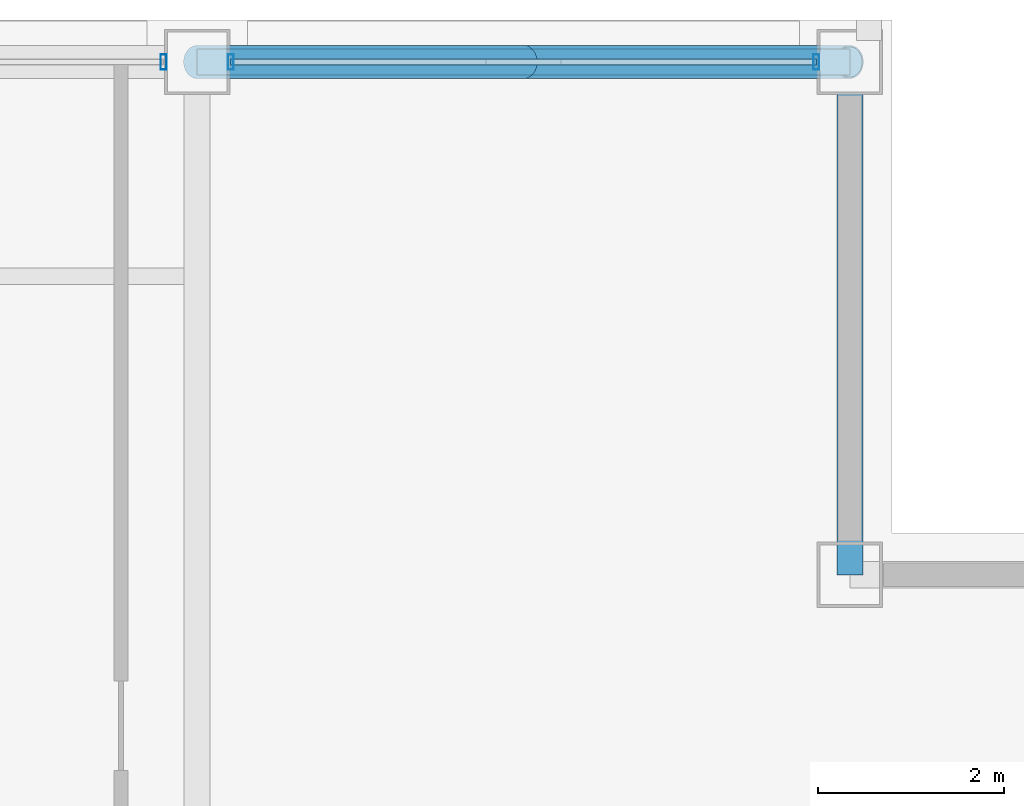
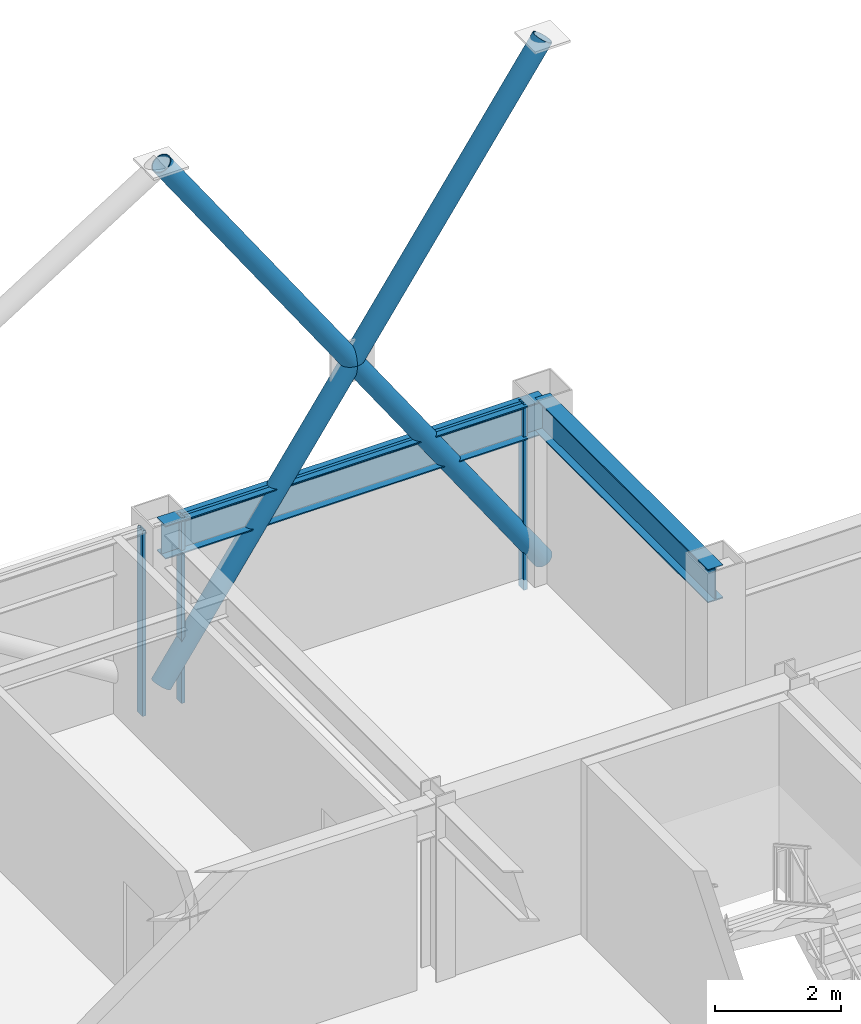
# One storey, part 25 of 33: 7 members, 2 beams, 2 elements without a shape of their own.
"""IFC4 building model written with IfcOpenShell, lengths in metres."""

from ifc_helpers import new_model, si_unit, direction, frame, origin, origin_2d, place, context, subcontext, project, spatial, hollow_rectangle, hollow_circle, i_section, extrude, material, layer, layer_set, material_profile, profile_set, type_object, element, aggregate, save


model = new_model("IFC4")

# Units and contexts
model_context = context("Model", 3, precision=1e-05, world=origin(), true_north=direction((0.0, 1.0)))
body_context = subcontext(model_context, "Body", "Model", "MODEL_VIEW")
ifc_project = project(units=[si_unit("LENGTHUNIT", "METRE"), si_unit("AREAUNIT", "SQUARE_METRE"), si_unit("VOLUMEUNIT", "CUBIC_METRE"), si_unit("PLANEANGLEUNIT", "RADIAN"), si_unit("MASSUNIT", "GRAM", prefix="KILO")], contexts=[model_context])

# Site, building, storey
site_placement = place(None, origin())
site = spatial("IfcSite", under=ifc_project, at=site_placement, CompositionType="ELEMENT")
building_placement = place(site_placement, origin())
building = spatial("IfcBuilding", under=site, at=building_placement, Name="Brelmoor Portico Tower", CompositionType="ELEMENT")
storey_placement = place(building_placement, frame((0.0, 0.0, 194.699951171875)))
storey = spatial("IfcBuildingStorey", under=building, at=storey_placement, Name="L51", CompositionType="ELEMENT", Elevation=194.699951171875)

# Beams
ifc_material_1 = material(Name="Steel Q355B", Category="steel")
ifc_material_profile_1 = material_profile(ifc_material_1, i_section(OverallWidth=0.280029296875, OverallDepth=0.64990234375, WebThickness=0.012939453125, FlangeThickness=0.02197265625, at=origin_2d()), Name="HN 650x280x13x22")
ifc_profile_set_1 = profile_set([ifc_material_profile_1], Name="Steel Q355B")
beam_type = type_object("IfcBeamType", Name="BM-SP-650", PredefinedType="SPANDREL", material=ifc_profile_set_1)
beam_1_placement = place(storey_placement, frame((8.050048828125, 18.550048828125, 3.074951171875), z_axis=(1.0, 0.0, 0.0), x_axis=(0.0, 1.0, 0.0)))
element("IfcBeam", 1, at=beam_1_placement, inside=storey, type_object=beam_type, Name="L51 Perimeter Spandrel Beam SP-10", PredefinedType="SPANDREL", context=body_context, shape_type="SweptSolid", body=[
    extrude(i_section(OverallWidth=0.280029296875, OverallDepth=0.64990234375, WebThickness=0.012939453125, FlangeThickness=0.02197265625, at=origin_2d()), origin(), (0.0, 0.0, 1.0), 7.0),
])
beam_2_placement = place(storey_placement, frame((15.050048828125, 13.050048828125, 3.074951171875), z_axis=(0.0, 1.0, 0.0), x_axis=(-1.0, 0.0, 0.0)))
element("IfcBeam", 2, at=beam_2_placement, inside=storey, type_object=beam_type, Name="L51 Perimeter Spandrel Beam SP-17", PredefinedType="SPANDREL", context=body_context, shape_type="SweptSolid", body=[
    extrude(i_section(OverallWidth=0.280029296875, OverallDepth=0.64990234375, WebThickness=0.012939453125, FlangeThickness=0.02197265625, at=origin_2d()), origin(), (0.0, 0.0, 1.0), 5.5),
])

# Members
ifc_material_profile_2 = material_profile(ifc_material_1, hollow_circle(Radius=0.177978515625, WallThickness=0.01611328125, at=origin_2d()), Name="CHS 356x16")
ifc_profile_set_2 = profile_set([ifc_material_profile_2], Name="Steel Q355B")
member_type_1 = type_object("IfcMemberType", Name="MB-BELT-DIAG2", PredefinedType="BRACE", material=ifc_profile_set_2)
member_1_placement = place(storey_placement, frame((8.050048828125, 18.550048828125, 0.25), z_axis=(0.569629338867, 0.0, 0.821901707203), x_axis=(0.0, 1.0, 0.0)))
element("IfcMember", 3, at=member_1_placement, inside=storey, type_object=member_type_1, Name="L51 Continuous Mega-X Brace 121A", PredefinedType="BRACE", context=body_context, shape_type="SweptSolid", body=[
    extrude(hollow_circle(Radius=0.177978515625, WallThickness=0.01611328125, at=origin_2d()), origin(), (0.0, 0.0, 1.0), 12.28857421875),
])
for number, where, z_axis, x_axis, name in (
    (4, (15.050048828125, 18.550048828125, 0.25), (-0.569629338867, 0.0, 0.821901707203), (0.0, -1.0, 0.0), "L51 Split Mega-X Brace 121B1"),
    (5, (11.550048828125, 18.550048828125, 5.300048828125), (-0.569629338867, 0.0, 0.821901707203), (0.0, -1.0, 0.0), "L51 Split Mega-X Brace 121B2"),
):
    element("IfcMember", number, at=place(storey_placement, frame(where, z_axis=z_axis, x_axis=x_axis)), inside=storey, type_object=member_type_1, Name=name, PredefinedType="BRACE", context=body_context, shape_type="SweptSolid", body=[
        extrude(hollow_circle(Radius=0.177978515625, WallThickness=0.01611328125, at=origin_2d()), origin(), (0.0, 0.0, 1.0), 6.144287109375),
    ])

# Curtain wall, member
ifc_material_2 = material(Name="Anodised Aluminium Alloy 6063-T6", Category="aluminium")
ifc_layer = layer(ifc_material_2, 0.179931640625)
ifc_layer_set = layer_set([ifc_layer], Name="Anodised Aluminium Alloy 6063-T6")
curtain_wall_type = type_object("IfcCurtainWallType", Name="CW-TOWER-Z3-XB", PredefinedType="NOTDEFINED", material=ifc_layer_set)
curtain_wall_1_placement = place(storey_placement, origin())
curtain_wall_1 = element("IfcCurtainWall", 6, at=curtain_wall_1_placement, inside=storey, type_object=curtain_wall_type, Name="L51 Curtain Wall CW-L51-02-2", PredefinedType="NOTDEFINED")
ifc_material_profile_3 = material_profile(ifc_material_2, hollow_rectangle(XDim=0.06494140625, YDim=0.1650390625, WallThickness=0.00390625, at=origin_2d()), Name="ALU MULLION 65x165")
ifc_profile_set_3 = profile_set([ifc_material_profile_3], Name="Anodised Aluminium Alloy 6063-T6")
member_type_2 = type_object("IfcMemberType", Name="MB-CW-MULL-165", PredefinedType="MULLION", material=ifc_profile_set_3)
member_2_placement = place(storey_placement, frame((7.68994140625, 18.550048828125, -0.199951171875), z_axis=(0.0, 0.0, 1.0), x_axis=(1.0, 0.0, 0.0)))
member_2 = element("IfcMember", 7, at=member_2_placement, type_object=member_type_2, Name="CW-L51-02-2 Mullion 01", PredefinedType="MULLION", context=body_context, shape_type="SweptSolid", body=[
    extrude(hollow_rectangle(XDim=0.06494140625, YDim=0.1650390625, WallThickness=0.00390625, at=origin_2d()), origin(), (0.0, 0.0, 1.0), 3.60009765625),
])
aggregate(curtain_wall_1, [member_2])

# Curtain wall, members
curtain_wall_2_placement = place(storey_placement, origin())
curtain_wall_2 = element("IfcCurtainWall", 8, at=curtain_wall_2_placement, inside=storey, type_object=curtain_wall_type, Name="L51 Curtain Wall CW-L51-02-3", PredefinedType="NOTDEFINED")
member_3_placement = place(storey_placement, frame((8.409912109375, 18.550048828125, -0.199951171875), z_axis=(0.0, 0.0, 1.0), x_axis=(1.0, 0.0, 0.0)))
member_3 = element("IfcMember", 9, at=member_3_placement, type_object=member_type_2, Name="CW-L51-02-3 Mullion 00", PredefinedType="MULLION", context=body_context, shape_type="SweptSolid", body=[
    extrude(hollow_rectangle(XDim=0.06494140625, YDim=0.1650390625, WallThickness=0.00390625, at=origin_2d()), origin(), (0.0, 0.0, 1.0), 3.60009765625),
])
member_4_placement = place(storey_placement, frame((14.68994140625, 18.550048828125, -0.199951171875), z_axis=(0.0, 0.0, 1.0), x_axis=(1.0, 0.0, 0.0)))
member_4 = element("IfcMember", 10, at=member_4_placement, type_object=member_type_2, Name="CW-L51-02-3 Mullion 01", PredefinedType="MULLION", context=body_context, shape_type="SweptSolid", body=[
    extrude(hollow_rectangle(XDim=0.06494140625, YDim=0.1650390625, WallThickness=0.00390625, at=origin_2d()), origin(), (0.0, 0.0, 1.0), 3.60009765625),
])
ifc_material_profile_4 = material_profile(ifc_material_2, hollow_rectangle(XDim=0.06005859375, YDim=0.125, WallThickness=0.00341796875, at=origin_2d()), Name="ALU TRANSOM 60x125")
ifc_profile_set_4 = profile_set([ifc_material_profile_4], Name="Anodised Aluminium Alloy 6063-T6")
member_type_3 = type_object("IfcMemberType", Name="MB-CW-TRAN-125", PredefinedType="USERDEFINED", material=ifc_profile_set_4)
member_5_placement = place(storey_placement, frame((8.409912109375, 18.550048828125, 3.337646484375), z_axis=(1.0, 0.0, 0.0), x_axis=(0.0, 1.0, 0.0)))
member_5 = element("IfcMember", 11, at=member_5_placement, type_object=member_type_3, Name="CW-L51-02-3 Transom 1-00", ObjectType="TRANSOM", PredefinedType="USERDEFINED", context=body_context, shape_type="SweptSolid", body=[
    extrude(hollow_rectangle(XDim=0.06005859375, YDim=0.125, WallThickness=0.00341796875, at=origin_2d()), origin(), (0.0, 0.0, 1.0), 6.280029296875),
])
aggregate(curtain_wall_2, [member_3, member_4, member_5])

save(model, "model.ifc")
